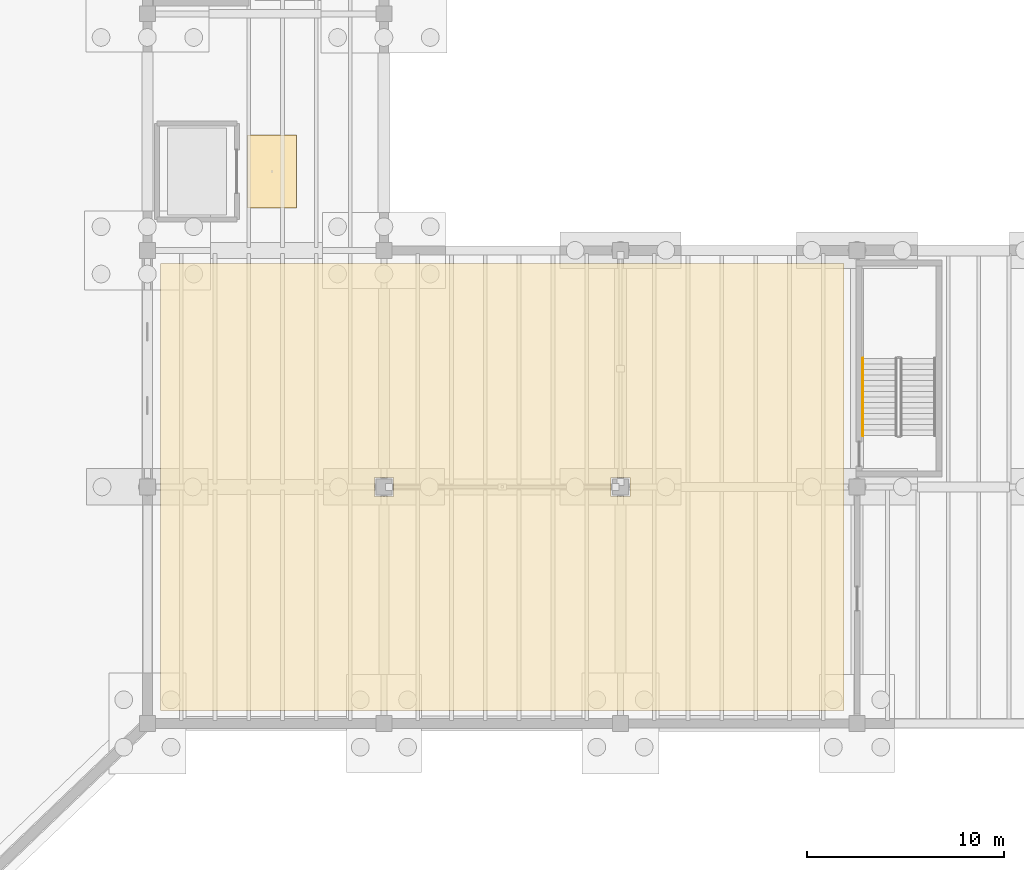
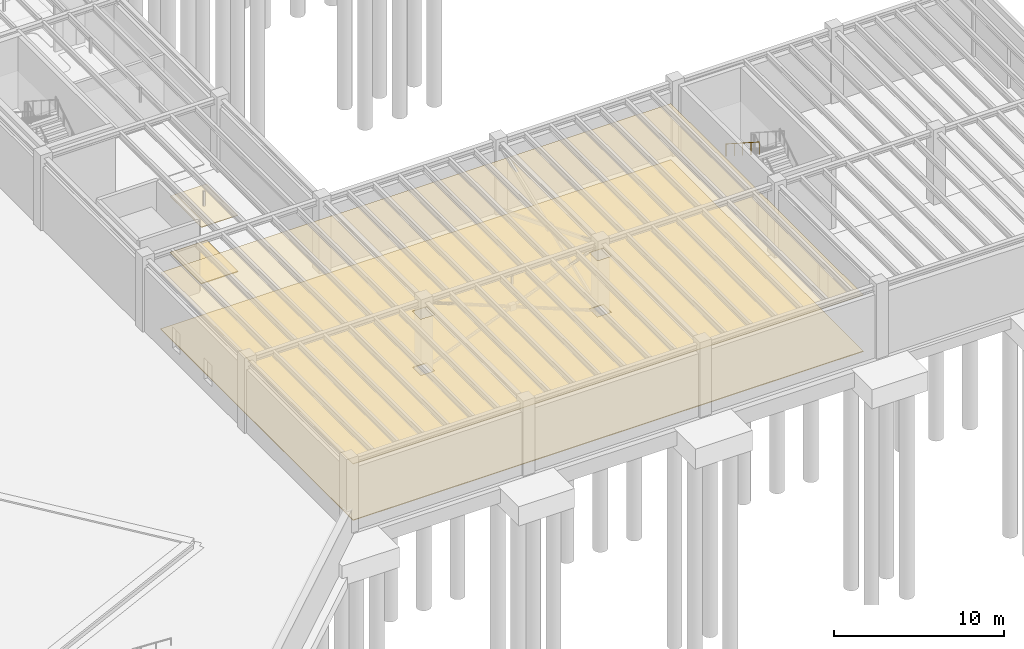
# One storey, part 62 of 67: 4 coverings, 1 railing.
"""IFC4 building model written with IfcOpenShell, lengths in metres."""

from ifc_helpers import new_model, si_unit, direction, frame, origin, origin_2d, place, context, subcontext, project, spatial, polyline, circle, outline, extrude, material, layer, layer_set, type_object, element, save


model = new_model("IFC4")

# Units and contexts
model_context = context("Model", 3, precision=1e-05, world=origin(), true_north=direction((0.0, 1.0)))
body_context = subcontext(model_context, "Body", "Model", "MODEL_VIEW")
ifc_project = project(units=[si_unit("LENGTHUNIT", "METRE"), si_unit("AREAUNIT", "SQUARE_METRE"), si_unit("VOLUMEUNIT", "CUBIC_METRE"), si_unit("PLANEANGLEUNIT", "RADIAN"), si_unit("MASSUNIT", "GRAM", prefix="KILO")], contexts=[model_context])

# Site, building, storey
site_placement = place(None, origin())
site = spatial("IfcSite", under=ifc_project, at=site_placement, CompositionType="ELEMENT")
building_placement = place(site_placement, origin())
building = spatial("IfcBuilding", under=site, at=building_placement, Name="Zlatogorsky Bluff Art Gallery", CompositionType="ELEMENT")
storey_placement = place(building_placement, frame((0.0, 0.0, -5.39990234375)))
storey = spatial("IfcBuildingStorey", under=building, at=storey_placement, Name="B1", CompositionType="ELEMENT", Elevation=-5.39990234375)

# Coverings
ifc_material_1 = material(Name="Perforated Gypsum Acoustic Board", Category="gypsum")
ifc_layer_1 = layer(ifc_material_1, 0.0400390625)
ifc_layer_set_1 = layer_set([ifc_layer_1], Name="Acoustic Gallery Ceiling CLG-01")
covering_type_1 = type_object("IfcCoveringType", Name="Acoustic Gallery Ceiling CLG-01", PredefinedType="CEILING", material=ifc_layer_set_1)
covering_1_placement = place(storey_placement, frame((0.0, 0.0, 4.0498046875)))
element("IfcCovering", 1, at=covering_1_placement, inside=storey, type_object=covering_type_1, Name="Lift Lobby GL-1 acoustic ceiling", PredefinedType="CEILING", context=body_context, shape_type="SweptSolid", body=[
    extrude(outline(polyline([(127.570068359375, 52.550048828125), (125.070068359375, 52.550048828125), (125.070068359375, 56.25), (127.570068359375, 56.25), (127.570068359375, 52.550048828125)])), origin(), (0.0, 0.0, 1.0), 0.0400390625),
])
covering_2_placement = place(storey_placement, frame((0.0, 0.0, 4.0498046875)))
element("IfcCovering", 2, at=covering_2_placement, inside=storey, type_object=covering_type_1, Name="Climate-Controlled Art Stores acoustic ceiling", PredefinedType="CEILING", context=body_context, shape_type="SweptSolid", body=[
    extrude(outline(polyline([(155.330078125, 49.72998046875), (155.330078125, 27.070068359375), (120.669921875, 27.070068359375), (120.669921875, 49.72998046875), (155.330078125, 49.72998046875)]), holes=[polyline([(131.52001953125, 37.919921875), (132.47998046875, 37.919921875), (132.47998046875, 38.8798828125), (131.52001953125, 38.8798828125), (131.52001953125, 37.919921875)]), polyline([(143.52001953125, 38.8798828125), (143.52001953125, 37.919921875), (144.47998046875, 37.919921875), (144.47998046875, 38.8798828125), (143.52001953125, 38.8798828125)])]), origin(), (0.0, 0.0, 1.0), 0.0400390625),
])

# Railing
ifc_material_2 = material(Name="Brushed Stainless Steel", Category="steel")
railing_type = type_object("IfcRailingType", Name="Stair Pitch Handrail 900mm", PredefinedType="HANDRAIL", material=ifc_material_2)
railing_placement = place(storey_placement, frame((156.300048828125, 44.919921875, 2.8798828125)))
element("IfcRailing", 3, at=railing_placement, inside=storey, type_object=railing_type, Name="B1 ST-10 stair handrail 2", PredefinedType="HANDRAIL", context=body_context, shape_type="SweptSolid", body=[
    extrude(circle(Radius=0.02392578125, at=origin_2d()), frame((0.0, 0.0, 0.8759765625), z_axis=(0.0, -0.841171666519, 0.540768182723), x_axis=(1.0, 0.0, 0.0)), (0.0, 0.0, 1.0), 4.66015625),
    extrude(circle(Radius=0.02099609375, at=origin_2d()), origin(), (0.0, 0.0, 1.0), 0.851806640625),
    extrude(circle(Radius=0.02099609375, at=origin_2d()), frame((0.0, -0.97998046875, 0.6298828125)), (0.0, 0.0, 1.0), 0.851806640625),
    extrude(circle(Radius=0.02099609375, at=origin_2d()), frame((0.0, -1.9599609375, 1.260009765625)), (0.0, 0.0, 1.0), 0.851806640625),
    extrude(circle(Radius=0.02099609375, at=origin_2d()), frame((0.0, -2.93994140625, 1.89013671875)), (0.0, 0.0, 1.0), 0.851806640625),
    extrude(circle(Radius=0.02099609375, at=origin_2d()), frame((0.0, -3.919921875, 2.52001953125)), (0.0, 0.0, 1.0), 0.851806640625),
])

# Coverings
ifc_material_3 = material(Name="Polished Ural Marble Terrazzo", Category="masonry")
ifc_layer_2 = layer(ifc_material_3, 0.050048828125)
ifc_layer_set_2 = layer_set([ifc_layer_2], Name="Terrazzo Gallery Flooring FLR-01")
covering_type_2 = type_object("IfcCoveringType", Name="Terrazzo Gallery Flooring FLR-01", PredefinedType="FLOORING", material=ifc_layer_set_2)
covering_3_placement = place(storey_placement, origin())
element("IfcCovering", 4, at=covering_3_placement, inside=storey, type_object=covering_type_2, Name="Lift Lobby GL-1 terrazzo floor finish", PredefinedType="FLOORING", context=body_context, shape_type="SweptSolid", body=[
    extrude(outline(polyline([(127.570068359375, 52.550048828125), (125.070068359375, 52.550048828125), (125.070068359375, 56.25), (127.570068359375, 56.25), (127.570068359375, 52.550048828125)])), origin(), (0.0, 0.0, 1.0), 0.0498046875),
])
covering_4_placement = place(storey_placement, origin())
element("IfcCovering", 5, at=covering_4_placement, inside=storey, type_object=covering_type_2, Name="Climate-Controlled Art Stores terrazzo floor finish", PredefinedType="FLOORING", context=body_context, shape_type="SweptSolid", body=[
    extrude(outline(polyline([(155.330078125, 49.72998046875), (155.330078125, 27.070068359375), (120.669921875, 27.070068359375), (120.669921875, 49.72998046875), (155.330078125, 49.72998046875)]), holes=[polyline([(131.52001953125, 37.919921875), (132.47998046875, 37.919921875), (132.47998046875, 38.8798828125), (131.52001953125, 38.8798828125), (131.52001953125, 37.919921875)]), polyline([(143.52001953125, 38.8798828125), (143.52001953125, 37.919921875), (144.47998046875, 37.919921875), (144.47998046875, 38.8798828125), (143.52001953125, 38.8798828125)])]), origin(), (0.0, 0.0, 1.0), 0.0498046875),
])

save(model, "model.ifc")
